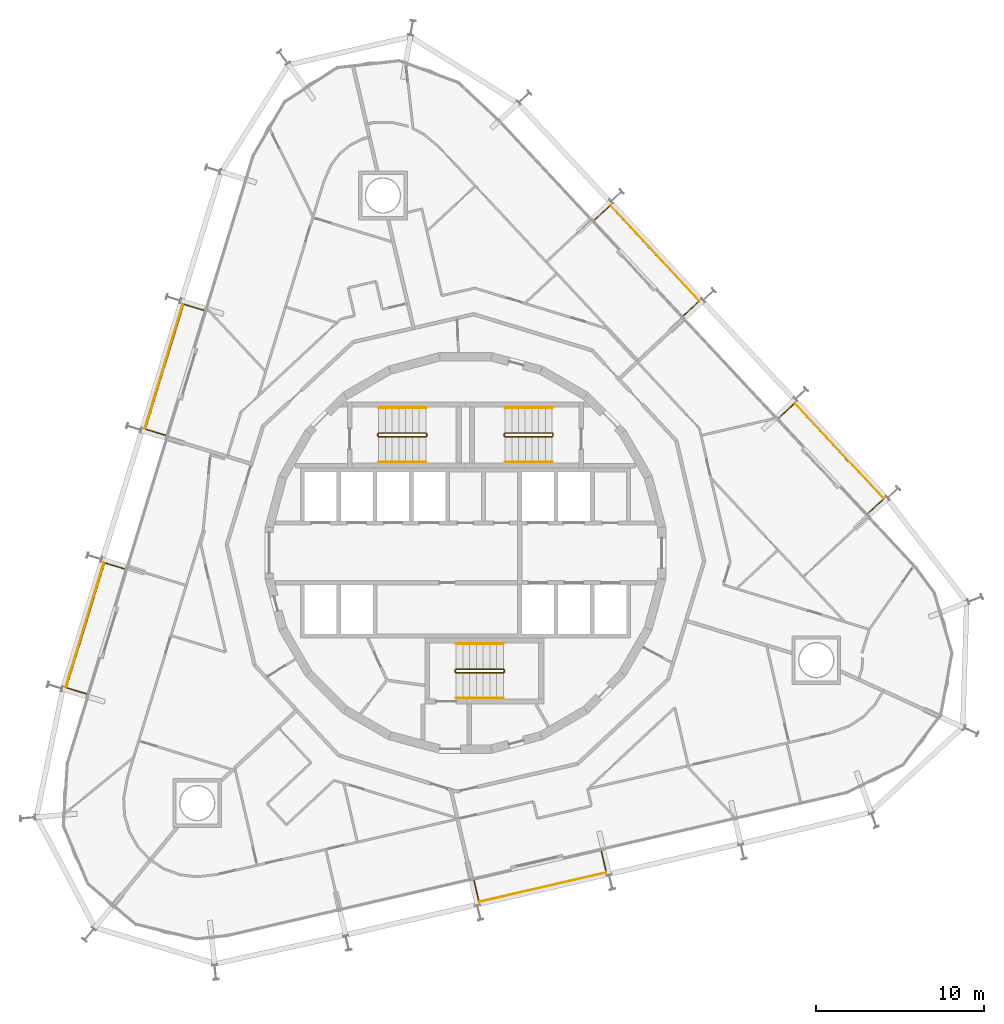
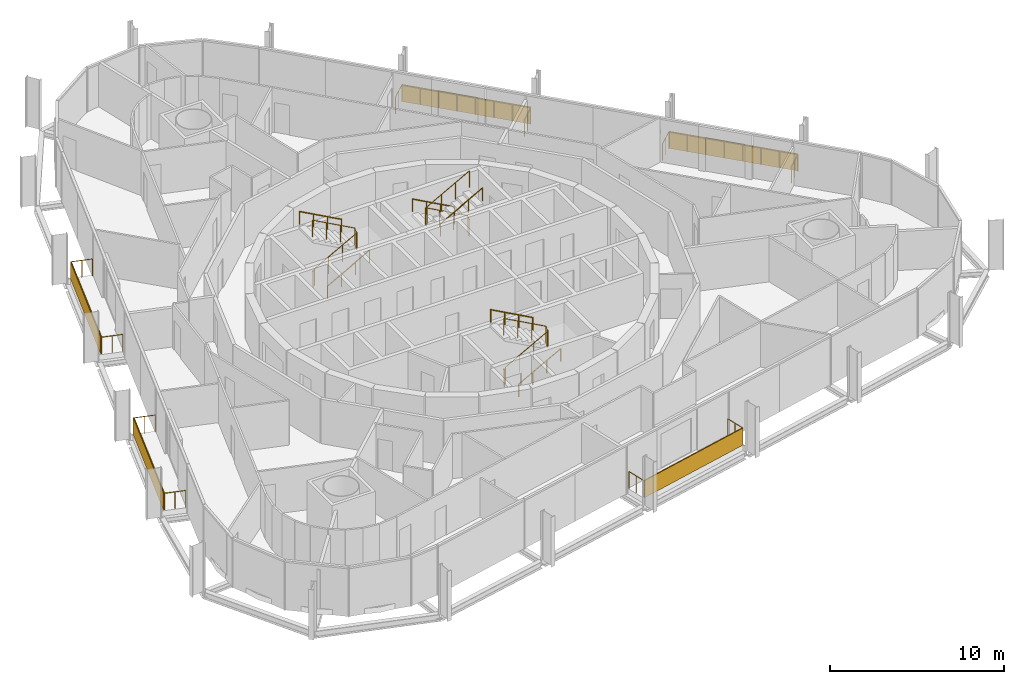
# One storey, part 18 of 18: 14 railings, 5 shading devices.
"""IFC4 building model written with IfcOpenShell, lengths in metres."""

from ifc_helpers import new_model, si_unit, direction, frame, origin, origin_2d, place, context, subcontext, project, spatial, rectangle, circle, extrude, material, layer, layer_set, type_object, element, save


model = new_model("IFC4")

# Units and contexts
model_context = context("Model", 3, precision=1e-05, world=origin(), true_north=direction((0.0, 1.0)))
body_context = subcontext(model_context, "Body", "Model", "MODEL_VIEW")
ifc_project = project(units=[si_unit("LENGTHUNIT", "METRE"), si_unit("AREAUNIT", "SQUARE_METRE"), si_unit("VOLUMEUNIT", "CUBIC_METRE"), si_unit("PLANEANGLEUNIT", "RADIAN"), si_unit("MASSUNIT", "GRAM", prefix="KILO")], contexts=[model_context])

# Site, building, storey
site_placement = place(None, origin())
site = spatial("IfcSite", under=ifc_project, at=site_placement, CompositionType="ELEMENT")
building_placement = place(site_placement, origin())
building = spatial("IfcBuilding", under=site, at=building_placement, Name="Spindle Arch Residences", CompositionType="ELEMENT")
storey_placement = place(building_placement, frame((0.0, 0.0, 137.89990234375)))
storey = spatial("IfcBuildingStorey", under=building, at=storey_placement, Name="L34", CompositionType="ELEMENT", Elevation=137.89990234375)

# Railings
ifc_material_1 = material(Name="Bronze anodised aluminium guard with glass infill", Category="aluminium")
railing_type_1 = type_object("IfcRailingType", Name="Balcony guard 1200", PredefinedType="GUARDRAIL", material=ifc_material_1)
railing_1_placement = place(storey_placement, frame((23.90185546875, 2.34619140625, 0.0)))
element("IfcRailing", 1, at=railing_1_placement, inside=storey, type_object=railing_type_1, Name="Guard L34 bay 6", PredefinedType="GUARDRAIL", context=body_context, shape_type="SweptSolid", body=[
    extrude(circle(Radius=0.02392578125, at=origin_2d()), frame((0.0, 0.0, 1.17578125), z_axis=(0.731379904041, 0.681970260323, 0.0), x_axis=(-0.681970260323, 0.731379904041, 0.0)), (0.0, 0.0, 1.0), 1.25),
    extrude(circle(Radius=0.02392578125, at=origin_2d()), frame((0.914306640625, 0.8525390625, 1.17578125), z_axis=(-0.681991953625, 0.731359675666, 0.0), x_axis=(-0.731359675666, -0.681991953625, 0.0)), (0.0, 0.0, 1.0), 7.75927734375),
    extrude(circle(Radius=0.02392578125, at=origin_2d()), frame((-4.37744140625, 6.52734375, 1.17578125), z_axis=(-0.731379904041, -0.681970260323, 0.0), x_axis=(0.681970260323, -0.731379904041, 0.0)), (0.0, 0.0, 1.0), 1.25),
    extrude(circle(Radius=0.02099609375, at=origin_2d()), origin(), (0.0, 0.0, 1.0), 1.15185546875),
    extrude(circle(Radius=0.02099609375, at=origin_2d()), frame((0.45703125, 0.42626953125, 0.0)), (0.0, 0.0, 1.0), 1.15185546875),
    extrude(circle(Radius=0.02099609375, at=origin_2d()), frame((0.914306640625, 0.8525390625, 0.0)), (0.0, 0.0, 1.0), 1.15185546875),
    extrude(circle(Radius=0.02099609375, at=origin_2d()), frame((0.158447265625, 1.663330078125, 0.0)), (0.0, 0.0, 1.0), 1.15185546875),
    extrude(circle(Radius=0.02099609375, at=origin_2d()), frame((-0.59765625, 2.473876953125, 0.0)), (0.0, 0.0, 1.0), 1.15185546875),
    extrude(circle(Radius=0.02099609375, at=origin_2d()), frame((-1.353515625, 3.28466796875, 0.0)), (0.0, 0.0, 1.0), 1.15185546875),
    extrude(circle(Radius=0.02099609375, at=origin_2d()), frame((-2.109619140625, 4.09521484375, 0.0)), (0.0, 0.0, 1.0), 1.15185546875),
    extrude(circle(Radius=0.02099609375, at=origin_2d()), frame((-2.865478515625, 4.906005859375, 0.0)), (0.0, 0.0, 1.0), 1.15185546875),
    extrude(circle(Radius=0.02099609375, at=origin_2d()), frame((-3.62158203125, 5.716552734375, 0.0)), (0.0, 0.0, 1.0), 1.15185546875),
    extrude(circle(Radius=0.02099609375, at=origin_2d()), frame((-4.37744140625, 6.52734375, 0.0)), (0.0, 0.0, 1.0), 1.15185546875),
    extrude(circle(Radius=0.02099609375, at=origin_2d()), frame((-4.83447265625, 6.10107421875, 0.0)), (0.0, 0.0, 1.0), 1.15185546875),
    extrude(circle(Radius=0.02099609375, at=origin_2d()), frame((-5.291748046875, 5.6748046875, 0.0)), (0.0, 0.0, 1.0), 1.15185546875),
])
railing_2_placement = place(storey_placement, frame((12.9501953125, 14.090576171875, 0.0)))
element("IfcRailing", 2, at=railing_2_placement, inside=storey, type_object=railing_type_1, Name="Guard L34 bay 8", PredefinedType="GUARDRAIL", context=body_context, shape_type="SweptSolid", body=[
    extrude(circle(Radius=0.02392578125, at=origin_2d()), frame((0.0, 0.0, 1.17578125), z_axis=(0.731289056092, 0.682067677317, 0.0), x_axis=(-0.682067677317, 0.731289056092, 0.0)), (0.0, 0.0, 1.0), 1.25),
    extrude(circle(Radius=0.02392578125, at=origin_2d()), frame((0.9140625, 0.8525390625, 1.17578125), z_axis=(-0.682007647712, 0.731345040635, 0.0), x_axis=(-0.731345040635, -0.682007647712, 0.0)), (0.0, 0.0, 1.0), 7.759033203125),
    extrude(circle(Radius=0.02392578125, at=origin_2d()), frame((-4.377685546875, 6.527099609375, 1.17578125), z_axis=(-0.731386486467, -0.681963200923, 0.0), x_axis=(0.681963200923, -0.731386486467, 0.0)), (0.0, 0.0, 1.0), 1.249755859375),
    extrude(circle(Radius=0.02099609375, at=origin_2d()), origin(), (0.0, 0.0, 1.0), 1.15185546875),
    extrude(circle(Radius=0.02099609375, at=origin_2d()), frame((0.45703125, 0.42626953125, 0.0)), (0.0, 0.0, 1.0), 1.15185546875),
    extrude(circle(Radius=0.02099609375, at=origin_2d()), frame((0.9140625, 0.8525390625, 0.0)), (0.0, 0.0, 1.0), 1.15185546875),
    extrude(circle(Radius=0.02099609375, at=origin_2d()), frame((0.158203125, 1.6630859375, 0.0)), (0.0, 0.0, 1.0), 1.15185546875),
    extrude(circle(Radius=0.02099609375, at=origin_2d()), frame((-0.597900390625, 2.473876953125, 0.0)), (0.0, 0.0, 1.0), 1.15185546875),
    extrude(circle(Radius=0.02099609375, at=origin_2d()), frame((-1.353759765625, 3.284423828125, 0.0)), (0.0, 0.0, 1.0), 1.15185546875),
    extrude(circle(Radius=0.02099609375, at=origin_2d()), frame((-2.10986328125, 4.09521484375, 0.0)), (0.0, 0.0, 1.0), 1.15185546875),
    extrude(circle(Radius=0.02099609375, at=origin_2d()), frame((-2.86572265625, 4.90576171875, 0.0)), (0.0, 0.0, 1.0), 1.15185546875),
    extrude(circle(Radius=0.02099609375, at=origin_2d()), frame((-3.621826171875, 5.716552734375, 0.0)), (0.0, 0.0, 1.0), 1.15185546875),
    extrude(circle(Radius=0.02099609375, at=origin_2d()), frame((-4.377685546875, 6.527099609375, 0.0)), (0.0, 0.0, 1.0), 1.15185546875),
    extrude(circle(Radius=0.02099609375, at=origin_2d()), frame((-4.834716796875, 6.10107421875, 0.0)), (0.0, 0.0, 1.0), 1.15185546875),
    extrude(circle(Radius=0.02099609375, at=origin_2d()), frame((-5.291748046875, 5.6748046875, 0.0)), (0.0, 0.0, 1.0), 1.15185546875),
])
railing_3_placement = place(storey_placement, frame((-15.5478515625, 14.40771484375, 0.0)))
element("IfcRailing", 3, at=railing_3_placement, inside=storey, type_object=railing_type_1, Name="Guard L34 bay 14", PredefinedType="GUARDRAIL", context=body_context, shape_type="SweptSolid", body=[
    extrude(circle(Radius=0.02392578125, at=origin_2d()), frame((0.0, 0.0, 1.17578125), z_axis=(-0.95629696894, 0.292397173714, 0.0), x_axis=(-0.292397173714, -0.95629696894, 0.0)), (0.0, 0.0, 1.0), 1.25),
    extrude(circle(Radius=0.02392578125, at=origin_2d()), frame((-1.1953125, 0.365478515625, 1.17578125), z_axis=(-0.29236961561, -0.956305394666, 0.0), x_axis=(0.956305394666, -0.29236961561, 0.0)), (0.0, 0.0, 1.0), 7.75927734375),
    extrude(circle(Radius=0.02392578125, at=origin_2d()), frame((-3.4638671875, -7.0546875, 1.17578125), z_axis=(0.95629696894, -0.292397173714, 0.0), x_axis=(0.292397173714, 0.95629696894, 0.0)), (0.0, 0.0, 1.0), 1.25),
    extrude(circle(Radius=0.02099609375, at=origin_2d()), origin(), (0.0, 0.0, 1.0), 1.15185546875),
    extrude(circle(Radius=0.02099609375, at=origin_2d()), frame((-0.59765625, 0.1826171875, 0.0)), (0.0, 0.0, 1.0), 1.15185546875),
    extrude(circle(Radius=0.02099609375, at=origin_2d()), frame((-1.1953125, 0.365478515625, 0.0)), (0.0, 0.0, 1.0), 1.15185546875),
    extrude(circle(Radius=0.02099609375, at=origin_2d()), frame((-1.519287109375, -0.694580078125, 0.0)), (0.0, 0.0, 1.0), 1.15185546875),
    extrude(circle(Radius=0.02099609375, at=origin_2d()), frame((-1.843505859375, -1.754638671875, 0.0)), (0.0, 0.0, 1.0), 1.15185546875),
    extrude(circle(Radius=0.02099609375, at=origin_2d()), frame((-2.16748046875, -2.814697265625, 0.0)), (0.0, 0.0, 1.0), 1.15185546875),
    extrude(circle(Radius=0.02099609375, at=origin_2d()), frame((-2.49169921875, -3.87451171875, 0.0)), (0.0, 0.0, 1.0), 1.15185546875),
    extrude(circle(Radius=0.02099609375, at=origin_2d()), frame((-2.815673828125, -4.9345703125, 0.0)), (0.0, 0.0, 1.0), 1.15185546875),
    extrude(circle(Radius=0.02099609375, at=origin_2d()), frame((-3.139892578125, -5.99462890625, 0.0)), (0.0, 0.0, 1.0), 1.15185546875),
    extrude(circle(Radius=0.02099609375, at=origin_2d()), frame((-3.4638671875, -7.0546875, 0.0)), (0.0, 0.0, 1.0), 1.15185546875),
    extrude(circle(Radius=0.02099609375, at=origin_2d()), frame((-2.8662109375, -7.2373046875, 0.0)), (0.0, 0.0, 1.0), 1.15185546875),
    extrude(circle(Radius=0.02099609375, at=origin_2d()), frame((-2.2685546875, -7.420166015625, 0.0)), (0.0, 0.0, 1.0), 1.15185546875),
])
railing_4_placement = place(storey_placement, frame((-20.242919921875, -0.948974609375, 0.0)))
element("IfcRailing", 4, at=railing_4_placement, inside=storey, type_object=railing_type_1, Name="Guard L34 bay 16", PredefinedType="GUARDRAIL", context=body_context, shape_type="SweptSolid", body=[
    extrude(circle(Radius=0.02392578125, at=origin_2d()), frame((0.0, 0.0, 1.17578125), z_axis=(-0.95629696894, 0.292397173714, 0.0), x_axis=(-0.292397173714, -0.95629696894, 0.0)), (0.0, 0.0, 1.0), 1.25),
    extrude(circle(Radius=0.02392578125, at=origin_2d()), frame((-1.1953125, 0.365478515625, 1.17578125), z_axis=(-0.29236961561, -0.956305394666, 0.0), x_axis=(0.956305394666, -0.29236961561, 0.0)), (0.0, 0.0, 1.0), 7.75927734375),
    extrude(circle(Radius=0.02392578125, at=origin_2d()), frame((-3.4638671875, -7.0546875, 1.17578125), z_axis=(0.95629696894, -0.292397173714, 0.0), x_axis=(0.292397173714, 0.95629696894, 0.0)), (0.0, 0.0, 1.0), 1.25),
    extrude(circle(Radius=0.02099609375, at=origin_2d()), origin(), (0.0, 0.0, 1.0), 1.15185546875),
    extrude(circle(Radius=0.02099609375, at=origin_2d()), frame((-0.59765625, 0.1826171875, 0.0)), (0.0, 0.0, 1.0), 1.15185546875),
    extrude(circle(Radius=0.02099609375, at=origin_2d()), frame((-1.1953125, 0.365478515625, 0.0)), (0.0, 0.0, 1.0), 1.15185546875),
    extrude(circle(Radius=0.02099609375, at=origin_2d()), frame((-1.519287109375, -0.694580078125, 0.0)), (0.0, 0.0, 1.0), 1.15185546875),
    extrude(circle(Radius=0.02099609375, at=origin_2d()), frame((-1.843505859375, -1.754638671875, 0.0)), (0.0, 0.0, 1.0), 1.15185546875),
    extrude(circle(Radius=0.02099609375, at=origin_2d()), frame((-2.16748046875, -2.814697265625, 0.0)), (0.0, 0.0, 1.0), 1.15185546875),
    extrude(circle(Radius=0.02099609375, at=origin_2d()), frame((-2.49169921875, -3.87451171875, 0.0)), (0.0, 0.0, 1.0), 1.15185546875),
    extrude(circle(Radius=0.02099609375, at=origin_2d()), frame((-2.815673828125, -4.9345703125, 0.0)), (0.0, 0.0, 1.0), 1.15185546875),
    extrude(circle(Radius=0.02099609375, at=origin_2d()), frame((-3.139892578125, -5.99462890625, 0.0)), (0.0, 0.0, 1.0), 1.15185546875),
    extrude(circle(Radius=0.02099609375, at=origin_2d()), frame((-3.4638671875, -7.0546875, 0.0)), (0.0, 0.0, 1.0), 1.15185546875),
    extrude(circle(Radius=0.02099609375, at=origin_2d()), frame((-2.8662109375, -7.2373046875, 0.0)), (0.0, 0.0, 1.0), 1.15185546875),
    extrude(circle(Radius=0.02099609375, at=origin_2d()), frame((-2.2685546875, -7.420166015625, 0.0)), (0.0, 0.0, 1.0), 1.15185546875),
])
railing_5_placement = place(storey_placement, frame((0.51220703125, -19.464599609375, 0.0)))
element("IfcRailing", 5, at=railing_5_placement, inside=storey, type_object=railing_type_1, Name="Guard L34 bay 22", PredefinedType="GUARDRAIL", context=body_context, shape_type="SweptSolid", body=[
    extrude(circle(Radius=0.02392578125, at=origin_2d()), frame((0.0, 0.0, 1.17578125), z_axis=(0.224802449297, -0.974404361028, 0.0), x_axis=(0.974404361028, 0.224802449297, 0.0)), (0.0, 0.0, 1.0), 1.25),
    extrude(circle(Radius=0.02392578125, at=origin_2d()), frame((0.281005859375, -1.218017578125, 1.17578125), z_axis=(0.974365204353, 0.224972106149, 0.0), x_axis=(-0.224972106149, 0.974365204353, 0.0)), (0.0, 0.0, 1.0), 7.75927734375),
    extrude(circle(Radius=0.02392578125, at=origin_2d()), frame((7.84130859375, 0.527587890625, 1.17578125), z_axis=(-0.224845239705, 0.974394487968, 0.0), x_axis=(-0.974394487968, -0.224845239705, 0.0)), (0.0, 0.0, 1.0), 1.249755859375),
    extrude(circle(Radius=0.02099609375, at=origin_2d()), origin(), (0.0, 0.0, 1.0), 1.15185546875),
    extrude(circle(Radius=0.02099609375, at=origin_2d()), frame((0.140625, -0.60888671875, 0.0)), (0.0, 0.0, 1.0), 1.15185546875),
    extrude(circle(Radius=0.02099609375, at=origin_2d()), frame((0.281005859375, -1.218017578125, 0.0)), (0.0, 0.0, 1.0), 1.15185546875),
    extrude(circle(Radius=0.02099609375, at=origin_2d()), frame((1.361083984375, -0.96875, 0.0)), (0.0, 0.0, 1.0), 1.15185546875),
    extrude(circle(Radius=0.02099609375, at=origin_2d()), frame((2.441162109375, -0.71923828125, 0.0)), (0.0, 0.0, 1.0), 1.15185546875),
    extrude(circle(Radius=0.02099609375, at=origin_2d()), frame((3.521240234375, -0.469970703125, 0.0)), (0.0, 0.0, 1.0), 1.15185546875),
    extrude(circle(Radius=0.02099609375, at=origin_2d()), frame((4.60107421875, -0.220458984375, 0.0)), (0.0, 0.0, 1.0), 1.15185546875),
    extrude(circle(Radius=0.02099609375, at=origin_2d()), frame((5.68115234375, 0.02880859375, 0.0)), (0.0, 0.0, 1.0), 1.15185546875),
    extrude(circle(Radius=0.02099609375, at=origin_2d()), frame((6.76123046875, 0.2783203125, 0.0)), (0.0, 0.0, 1.0), 1.15185546875),
    extrude(circle(Radius=0.02099609375, at=origin_2d()), frame((7.84130859375, 0.527587890625, 0.0)), (0.0, 0.0, 1.0), 1.15185546875),
    extrude(circle(Radius=0.02099609375, at=origin_2d()), frame((7.70068359375, 1.136474609375, 0.0)), (0.0, 0.0, 1.0), 1.15185546875),
    extrude(circle(Radius=0.02099609375, at=origin_2d()), frame((7.560302734375, 1.745361328125, 0.0)), (0.0, 0.0, 1.0), 1.15185546875),
])

# Shading devices
ifc_material_2 = material(Name="Bronze perforated cobogo screen")
ifc_layer = layer(ifc_material_2, 0.0390625)
ifc_layer_set = layer_set([ifc_layer], Name="Cobogo screen 1200")
shading_device_type = type_object("IfcShadingDeviceType", Name="Cobogo screen 1200", PredefinedType="USERDEFINED", material=ifc_layer_set)
for number, where, z_axis, x_axis, name in (
    (6, (22.199951171875, 6.063720703125, 0.0), (0.0, 0.0, 1.0), (-0.681998360062, 0.731353701619, 0.0), "Cobogo screen L34 bay 6"),
    (7, (11.248046875, 17.80810546875, 0.0), (0.0, 0.0, 1.0), (-0.681998360062, 0.731353701619, 0.0), "Cobogo screen L34 bay 8"),
    (8, (-17.916259765625, 11.074951171875, 0.0), (0.0, 0.0, 1.0), (-0.292371704723, -0.956304755963, 0.0), "Cobogo screen L34 bay 14"),
    (9, (-22.611328125, -4.28173828125, 0.0), (0.0, 0.0, 1.0), (-0.292371704723, -0.956304755963, 0.0), "Cobogo screen L34 bay 16"),
    (10, (4.58251953125, -19.849365234375, 0.0), (0.0, 0.0, 1.0), (0.974370064785, 0.224951054344, 0.0), "Cobogo screen L34 bay 22"),
):
    element("IfcShadingDevice", number, at=place(storey_placement, frame(where, z_axis=z_axis, x_axis=x_axis)), inside=storey, type_object=shading_device_type, Name=name, ObjectType="SCREEN", PredefinedType="USERDEFINED", context=body_context, shape_type="SweptSolid", body=[
        extrude(rectangle(XDim=7.75927734375, YDim=0.0390625, at=origin_2d()), origin(), (0.0, 0.0, 1.0), 1.199951171875),
    ])

# Railings
ifc_material_3 = material(Name="Steel, painted", Category="steel")
railing_type_2 = type_object("IfcRailingType", Name="Stair guard 1100", PredefinedType="GUARDRAIL", material=ifc_material_3)
railing_6_placement = place(storey_placement, frame((5.14990234375, 6.89990234375, 3.5)))
element("IfcRailing", 11, at=railing_6_placement, inside=storey, type_object=railing_type_2, Name="L34 ST1 stair guard 1", PredefinedType="GUARDRAIL", context=body_context, shape_type="SweptSolid", body=[
    extrude(circle(Radius=0.02392578125, at=origin_2d()), frame((0.0, 0.0, 1.17578125), z_axis=(-0.877357048833, 0.0, -0.479838106931), x_axis=(0.0, -1.0, 0.0)), (0.0, 0.0, 1.0), 3.191162109375),
    extrude(circle(Radius=0.02392578125, at=origin_2d()), frame((-2.7998046875, 0.0, -0.35546875), z_axis=(-0.217683172539, 0.217683172539, -0.951434744366), x_axis=(-0.707106781187, -0.707106781187, 0.0)), (0.0, 0.0, 1.0), 0.22998046875),
    extrude(circle(Radius=0.02392578125, at=origin_2d()), frame((-2.849853515625, 0.050048828125, -0.57421875), z_axis=(0.0, 1.0, 0.0), x_axis=(-1.0, 0.0, 0.0)), (0.0, 0.0, 1.0), 0.1201171875),
    extrude(circle(Radius=0.02392578125, at=origin_2d()), frame((-2.849853515625, 0.170166015625, -0.57421875), z_axis=(0.707106781187, 0.707106781187, 0.0), x_axis=(-0.707106781187, 0.707106781187, 0.0)), (0.0, 0.0, 1.0), 0.07080078125),
    extrude(circle(Radius=0.02392578125, at=origin_2d()), frame((-2.7998046875, 0.22021484375, -0.57421875), z_axis=(0.877357048833, 0.0, -0.479838106931), x_axis=(0.0, 1.0, 0.0)), (0.0, 0.0, 1.0), 3.191162109375),
    extrude(circle(Radius=0.02392578125, at=origin_2d()), frame((0.0, 0.22021484375, -2.10546875), z_axis=(0.217683172539, -0.217683172539, -0.951434744366), x_axis=(0.707106781187, 0.707106781187, 0.0)), (0.0, 0.0, 1.0), 0.22998046875),
    extrude(circle(Radius=0.02392578125, at=origin_2d()), frame((0.050048828125, 0.170166015625, -2.32421875), z_axis=(0.0, -1.0, 0.0), x_axis=(1.0, 0.0, 0.0)), (0.0, 0.0, 1.0), 0.1201171875),
    extrude(circle(Radius=0.02099609375, at=origin_2d()), origin(), (0.0, 0.0, 1.0), 1.15185546875),
    extrude(circle(Radius=0.02099609375, at=origin_2d()), frame((-0.933349609375, 0.0, -0.510498046875)), (0.0, 0.0, 1.0), 1.15185546875),
    extrude(circle(Radius=0.02099609375, at=origin_2d()), frame((-1.866455078125, 0.0, -1.020751953125)), (0.0, 0.0, 1.0), 1.15185546875),
    extrude(circle(Radius=0.02099609375, at=origin_2d()), frame((-2.7998046875, 0.0, -1.53125)), (0.0, 0.0, 1.0), 1.15185546875),
    extrude(circle(Radius=0.02099609375, at=origin_2d()), frame((-2.849853515625, 0.050048828125, -1.75)), (0.0, 0.0, 1.0), 1.15185546875),
    extrude(circle(Radius=0.02099609375, at=origin_2d()), frame((-2.849853515625, 0.170166015625, -1.75)), (0.0, 0.0, 1.0), 1.15185546875),
    extrude(circle(Radius=0.02099609375, at=origin_2d()), frame((-2.7998046875, 0.22021484375, -1.75)), (0.0, 0.0, 1.0), 1.15185546875),
    extrude(circle(Radius=0.02099609375, at=origin_2d()), frame((-1.866455078125, 0.22021484375, -2.260498046875)), (0.0, 0.0, 1.0), 1.15185546875),
    extrude(circle(Radius=0.02099609375, at=origin_2d()), frame((-0.933349609375, 0.22021484375, -2.770751953125)), (0.0, 0.0, 1.0), 1.15185546875),
    extrude(circle(Radius=0.02099609375, at=origin_2d()), frame((0.0, 0.22021484375, -3.28125)), (0.0, 0.0, 1.0), 1.15185546875),
    extrude(circle(Radius=0.02099609375, at=origin_2d()), frame((0.050048828125, 0.170166015625, -3.5)), (0.0, 0.0, 1.0), 1.15185546875),
    extrude(circle(Radius=0.02099609375, at=origin_2d()), frame((0.050048828125, 0.050048828125, -3.5)), (0.0, 0.0, 1.0), 1.15185546875),
])
railing_7_placement = place(storey_placement, frame((-5.14990234375, 7.1201171875, 3.5)))
element("IfcRailing", 12, at=railing_7_placement, inside=storey, type_object=railing_type_2, Name="L34 ST2 stair guard 1", PredefinedType="GUARDRAIL", context=body_context, shape_type="SweptSolid", body=[
    extrude(circle(Radius=0.02392578125, at=origin_2d()), frame((0.0, 0.0, 1.17578125), z_axis=(0.877357048833, 0.0, -0.479838106931), x_axis=(0.0, 1.0, 0.0)), (0.0, 0.0, 1.0), 3.191162109375),
    extrude(circle(Radius=0.02392578125, at=origin_2d()), frame((2.7998046875, 0.0, -0.35546875), z_axis=(0.217683172539, -0.217683172539, -0.951434744366), x_axis=(0.707106781187, 0.707106781187, 0.0)), (0.0, 0.0, 1.0), 0.22998046875),
    extrude(circle(Radius=0.02392578125, at=origin_2d()), frame((2.849853515625, -0.050048828125, -0.57421875), z_axis=(0.0, -1.0, 0.0), x_axis=(1.0, 0.0, 0.0)), (0.0, 0.0, 1.0), 0.1201171875),
    extrude(circle(Radius=0.02392578125, at=origin_2d()), frame((2.849853515625, -0.170166015625, -0.57421875), z_axis=(-0.707106781187, -0.707106781187, 0.0), x_axis=(0.707106781187, -0.707106781187, 0.0)), (0.0, 0.0, 1.0), 0.07080078125),
    extrude(circle(Radius=0.02392578125, at=origin_2d()), frame((2.7998046875, -0.22021484375, -0.57421875), z_axis=(-0.877357048833, 0.0, -0.479838106931), x_axis=(0.0, -1.0, 0.0)), (0.0, 0.0, 1.0), 3.191162109375),
    extrude(circle(Radius=0.02392578125, at=origin_2d()), frame((0.0, -0.22021484375, -2.10546875), z_axis=(-0.217683172539, 0.217683172539, -0.951434744366), x_axis=(-0.707106781187, -0.707106781187, 0.0)), (0.0, 0.0, 1.0), 0.22998046875),
    extrude(circle(Radius=0.02392578125, at=origin_2d()), frame((-0.050048828125, -0.170166015625, -2.32421875), z_axis=(0.0, 1.0, 0.0), x_axis=(-1.0, 0.0, 0.0)), (0.0, 0.0, 1.0), 0.1201171875),
    extrude(circle(Radius=0.02099609375, at=origin_2d()), origin(), (0.0, 0.0, 1.0), 1.15185546875),
    extrude(circle(Radius=0.02099609375, at=origin_2d()), frame((0.933349609375, 0.0, -0.510498046875)), (0.0, 0.0, 1.0), 1.15185546875),
    extrude(circle(Radius=0.02099609375, at=origin_2d()), frame((1.866455078125, 0.0, -1.020751953125)), (0.0, 0.0, 1.0), 1.15185546875),
    extrude(circle(Radius=0.02099609375, at=origin_2d()), frame((2.7998046875, 0.0, -1.53125)), (0.0, 0.0, 1.0), 1.15185546875),
    extrude(circle(Radius=0.02099609375, at=origin_2d()), frame((2.849853515625, -0.050048828125, -1.75)), (0.0, 0.0, 1.0), 1.15185546875),
    extrude(circle(Radius=0.02099609375, at=origin_2d()), frame((2.849853515625, -0.170166015625, -1.75)), (0.0, 0.0, 1.0), 1.15185546875),
    extrude(circle(Radius=0.02099609375, at=origin_2d()), frame((2.7998046875, -0.22021484375, -1.75)), (0.0, 0.0, 1.0), 1.15185546875),
    extrude(circle(Radius=0.02099609375, at=origin_2d()), frame((1.866455078125, -0.22021484375, -2.260498046875)), (0.0, 0.0, 1.0), 1.15185546875),
    extrude(circle(Radius=0.02099609375, at=origin_2d()), frame((0.933349609375, -0.22021484375, -2.770751953125)), (0.0, 0.0, 1.0), 1.15185546875),
    extrude(circle(Radius=0.02099609375, at=origin_2d()), frame((0.0, -0.22021484375, -3.28125)), (0.0, 0.0, 1.0), 1.15185546875),
    extrude(circle(Radius=0.02099609375, at=origin_2d()), frame((-0.050048828125, -0.170166015625, -3.5)), (0.0, 0.0, 1.0), 1.15185546875),
    extrude(circle(Radius=0.02099609375, at=origin_2d()), frame((-0.050048828125, -0.050048828125, -3.5)), (0.0, 0.0, 1.0), 1.15185546875),
])
railing_8_placement = place(storey_placement, frame((-0.550048828125, -6.89990234375, 3.5)))
element("IfcRailing", 13, at=railing_8_placement, inside=storey, type_object=railing_type_2, Name="L34 ST3 stair guard 1", PredefinedType="GUARDRAIL", context=body_context, shape_type="SweptSolid", body=[
    extrude(circle(Radius=0.02392578125, at=origin_2d()), frame((0.0, 0.0, 1.17578125), z_axis=(0.877374661878, 0.0, -0.479805901063), x_axis=(0.0, 1.0, 0.0)), (0.0, 0.0, 1.0), 3.19140625),
    extrude(circle(Radius=0.02392578125, at=origin_2d()), frame((2.800048828125, 0.0, -0.35546875), z_axis=(0.217683172539, -0.217683172539, -0.951434744366), x_axis=(0.707106781187, 0.707106781187, 0.0)), (0.0, 0.0, 1.0), 0.22998046875),
    extrude(circle(Radius=0.02392578125, at=origin_2d()), frame((2.85009765625, -0.050048828125, -0.57421875), z_axis=(0.0, -1.0, 0.0), x_axis=(1.0, 0.0, 0.0)), (0.0, 0.0, 1.0), 0.1201171875),
    extrude(circle(Radius=0.02392578125, at=origin_2d()), frame((2.85009765625, -0.170166015625, -0.57421875), z_axis=(-0.707106781187, -0.707106781187, 0.0), x_axis=(0.707106781187, -0.707106781187, 0.0)), (0.0, 0.0, 1.0), 0.07080078125),
    extrude(circle(Radius=0.02392578125, at=origin_2d()), frame((2.800048828125, -0.22021484375, -0.57421875), z_axis=(-0.877374661878, 0.0, -0.479805901063), x_axis=(0.0, -1.0, 0.0)), (0.0, 0.0, 1.0), 3.19140625),
    extrude(circle(Radius=0.02392578125, at=origin_2d()), frame((0.0, -0.22021484375, -2.10546875), z_axis=(-0.217683172539, 0.217683172539, -0.951434744366), x_axis=(-0.707106781187, -0.707106781187, 0.0)), (0.0, 0.0, 1.0), 0.22998046875),
    extrude(circle(Radius=0.02392578125, at=origin_2d()), frame((-0.050048828125, -0.170166015625, -2.32421875), z_axis=(0.0, 1.0, 0.0), x_axis=(-1.0, 0.0, 0.0)), (0.0, 0.0, 1.0), 0.1201171875),
    extrude(circle(Radius=0.02099609375, at=origin_2d()), origin(), (0.0, 0.0, 1.0), 1.15185546875),
    extrude(circle(Radius=0.02099609375, at=origin_2d()), frame((0.933349609375, 0.0, -0.510498046875)), (0.0, 0.0, 1.0), 1.15185546875),
    extrude(circle(Radius=0.02099609375, at=origin_2d()), frame((1.86669921875, 0.0, -1.020751953125)), (0.0, 0.0, 1.0), 1.15185546875),
    extrude(circle(Radius=0.02099609375, at=origin_2d()), frame((2.800048828125, 0.0, -1.53125)), (0.0, 0.0, 1.0), 1.15185546875),
    extrude(circle(Radius=0.02099609375, at=origin_2d()), frame((2.85009765625, -0.050048828125, -1.75)), (0.0, 0.0, 1.0), 1.15185546875),
    extrude(circle(Radius=0.02099609375, at=origin_2d()), frame((2.85009765625, -0.170166015625, -1.75)), (0.0, 0.0, 1.0), 1.15185546875),
    extrude(circle(Radius=0.02099609375, at=origin_2d()), frame((2.800048828125, -0.22021484375, -1.75)), (0.0, 0.0, 1.0), 1.15185546875),
    extrude(circle(Radius=0.02099609375, at=origin_2d()), frame((1.86669921875, -0.22021484375, -2.260498046875)), (0.0, 0.0, 1.0), 1.15185546875),
    extrude(circle(Radius=0.02099609375, at=origin_2d()), frame((0.933349609375, -0.22021484375, -2.770751953125)), (0.0, 0.0, 1.0), 1.15185546875),
    extrude(circle(Radius=0.02099609375, at=origin_2d()), frame((0.0, -0.22021484375, -3.28125)), (0.0, 0.0, 1.0), 1.15185546875),
    extrude(circle(Radius=0.02099609375, at=origin_2d()), frame((-0.050048828125, -0.170166015625, -3.5)), (0.0, 0.0, 1.0), 1.15185546875),
    extrude(circle(Radius=0.02099609375, at=origin_2d()), frame((-0.050048828125, -0.050048828125, -3.5)), (0.0, 0.0, 1.0), 1.15185546875),
])
ifc_material_4 = material(Name="Steel, painted", Category="steel")
railing_type_3 = type_object("IfcRailingType", Name="Stair handrail 900", PredefinedType="HANDRAIL", material=ifc_material_4)
railing_9_placement = place(storey_placement, frame((5.14990234375, 8.6201171875, 0.21875)))
element("IfcRailing", 14, at=railing_9_placement, inside=storey, type_object=railing_type_3, Name="L34 ST1 stair handrail 1", PredefinedType="HANDRAIL", context=body_context, shape_type="SweptSolid", body=[
    extrude(circle(Radius=0.02392578125, at=origin_2d()), frame((0.0, 0.0, 0.8759765625), z_axis=(-0.877357048833, 0.0, 0.479838106931), x_axis=(0.0, -1.0, 0.0)), (0.0, 0.0, 1.0), 3.191162109375),
    extrude(circle(Radius=0.02099609375, at=origin_2d()), origin(), (0.0, 0.0, 1.0), 0.851806640625),
    extrude(circle(Radius=0.02099609375, at=origin_2d()), frame((-0.933349609375, 0.0, 0.510498046875)), (0.0, 0.0, 1.0), 0.851806640625),
    extrude(circle(Radius=0.02099609375, at=origin_2d()), frame((-1.866455078125, 0.0, 1.020751953125)), (0.0, 0.0, 1.0), 0.851806640625),
    extrude(circle(Radius=0.02099609375, at=origin_2d()), frame((-2.7998046875, 0.0, 1.53125)), (0.0, 0.0, 1.0), 0.851806640625),
])
for number, where, name in (
    (15, (2.35009765625, 5.39990234375, 1.96875), "L34 ST1 stair handrail 2"),
    (16, (-5.14990234375, 5.39990234375, 0.21875), "L34 ST2 stair handrail 1"),
):
    element("IfcRailing", number, at=place(storey_placement, frame(where)), inside=storey, type_object=railing_type_3, Name=name, PredefinedType="HANDRAIL", context=body_context, shape_type="SweptSolid", body=[
        extrude(circle(Radius=0.02392578125, at=origin_2d()), frame((0.0, 0.0, 0.8759765625), z_axis=(0.877357048833, 0.0, 0.479838106931), x_axis=(0.0, 1.0, 0.0)), (0.0, 0.0, 1.0), 3.191162109375),
        extrude(circle(Radius=0.02099609375, at=origin_2d()), origin(), (0.0, 0.0, 1.0), 0.851806640625),
        extrude(circle(Radius=0.02099609375, at=origin_2d()), frame((0.933349609375, 0.0, 0.510498046875)), (0.0, 0.0, 1.0), 0.851806640625),
        extrude(circle(Radius=0.02099609375, at=origin_2d()), frame((1.866455078125, 0.0, 1.020751953125)), (0.0, 0.0, 1.0), 0.851806640625),
        extrude(circle(Radius=0.02099609375, at=origin_2d()), frame((2.7998046875, 0.0, 1.53125)), (0.0, 0.0, 1.0), 0.851806640625),
    ])
railing_10_placement = place(storey_placement, frame((-2.35009765625, 8.6201171875, 1.96875)))
element("IfcRailing", 17, at=railing_10_placement, inside=storey, type_object=railing_type_3, Name="L34 ST2 stair handrail 2", PredefinedType="HANDRAIL", context=body_context, shape_type="SweptSolid", body=[
    extrude(circle(Radius=0.02392578125, at=origin_2d()), frame((0.0, 0.0, 0.8759765625), z_axis=(-0.877357048833, 0.0, 0.479838106931), x_axis=(0.0, -1.0, 0.0)), (0.0, 0.0, 1.0), 3.191162109375),
    extrude(circle(Radius=0.02099609375, at=origin_2d()), origin(), (0.0, 0.0, 1.0), 0.851806640625),
    extrude(circle(Radius=0.02099609375, at=origin_2d()), frame((-0.933349609375, 0.0, 0.510498046875)), (0.0, 0.0, 1.0), 0.851806640625),
    extrude(circle(Radius=0.02099609375, at=origin_2d()), frame((-1.866455078125, 0.0, 1.020751953125)), (0.0, 0.0, 1.0), 0.851806640625),
    extrude(circle(Radius=0.02099609375, at=origin_2d()), frame((-2.7998046875, 0.0, 1.53125)), (0.0, 0.0, 1.0), 0.851806640625),
])
railing_11_placement = place(storey_placement, frame((-0.550048828125, -8.6201171875, 0.21875)))
element("IfcRailing", 18, at=railing_11_placement, inside=storey, type_object=railing_type_3, Name="L34 ST3 stair handrail 1", PredefinedType="HANDRAIL", context=body_context, shape_type="SweptSolid", body=[
    extrude(circle(Radius=0.02392578125, at=origin_2d()), frame((0.0, 0.0, 0.8759765625), z_axis=(0.877374661878, 0.0, 0.479805901063), x_axis=(0.0, 1.0, 0.0)), (0.0, 0.0, 1.0), 3.19140625),
    extrude(circle(Radius=0.02099609375, at=origin_2d()), origin(), (0.0, 0.0, 1.0), 0.851806640625),
    extrude(circle(Radius=0.02099609375, at=origin_2d()), frame((0.933349609375, 0.0, 0.510498046875)), (0.0, 0.0, 1.0), 0.851806640625),
    extrude(circle(Radius=0.02099609375, at=origin_2d()), frame((1.86669921875, 0.0, 1.020751953125)), (0.0, 0.0, 1.0), 0.851806640625),
    extrude(circle(Radius=0.02099609375, at=origin_2d()), frame((2.800048828125, 0.0, 1.53125)), (0.0, 0.0, 1.0), 0.851806640625),
])
railing_12_placement = place(storey_placement, frame((2.25, -5.39990234375, 1.96875)))
element("IfcRailing", 19, at=railing_12_placement, inside=storey, type_object=railing_type_3, Name="L34 ST3 stair handrail 2", PredefinedType="HANDRAIL", context=body_context, shape_type="SweptSolid", body=[
    extrude(circle(Radius=0.02392578125, at=origin_2d()), frame((0.0, 0.0, 0.8759765625), z_axis=(-0.877374661878, 0.0, 0.479805901063), x_axis=(0.0, -1.0, 0.0)), (0.0, 0.0, 1.0), 3.19140625),
    extrude(circle(Radius=0.02099609375, at=origin_2d()), origin(), (0.0, 0.0, 1.0), 0.851806640625),
    extrude(circle(Radius=0.02099609375, at=origin_2d()), frame((-0.933349609375, 0.0, 0.510498046875)), (0.0, 0.0, 1.0), 0.851806640625),
    extrude(circle(Radius=0.02099609375, at=origin_2d()), frame((-1.86669921875, 0.0, 1.020751953125)), (0.0, 0.0, 1.0), 0.851806640625),
    extrude(circle(Radius=0.02099609375, at=origin_2d()), frame((-2.800048828125, 0.0, 1.53125)), (0.0, 0.0, 1.0), 0.851806640625),
])

save(model, "model.ifc")
